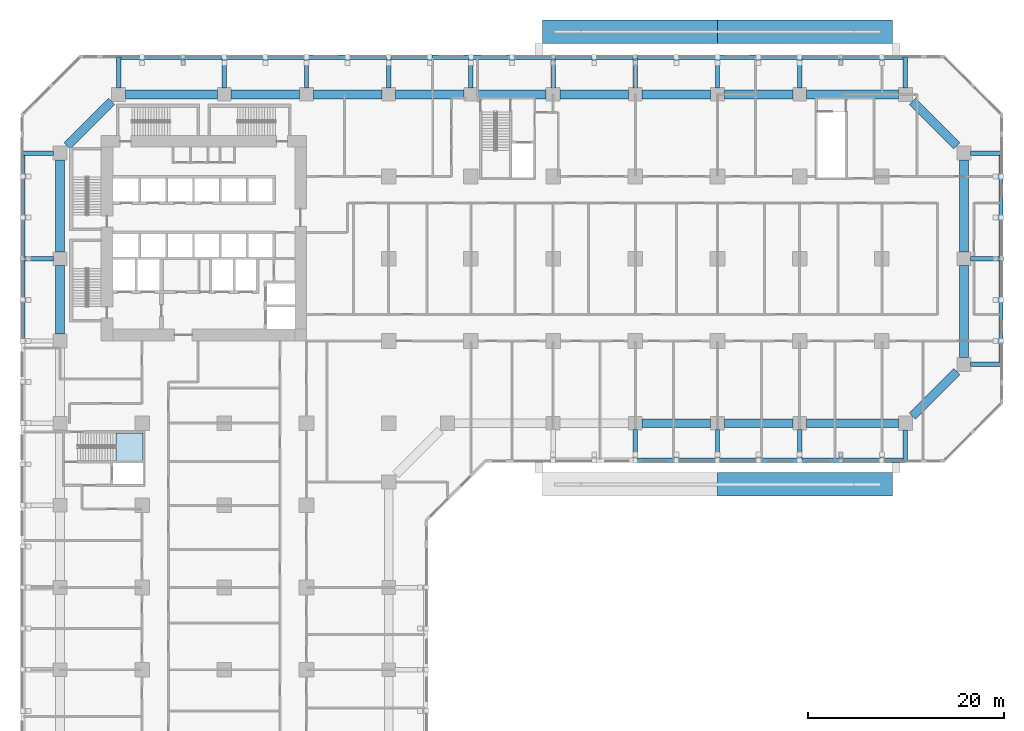
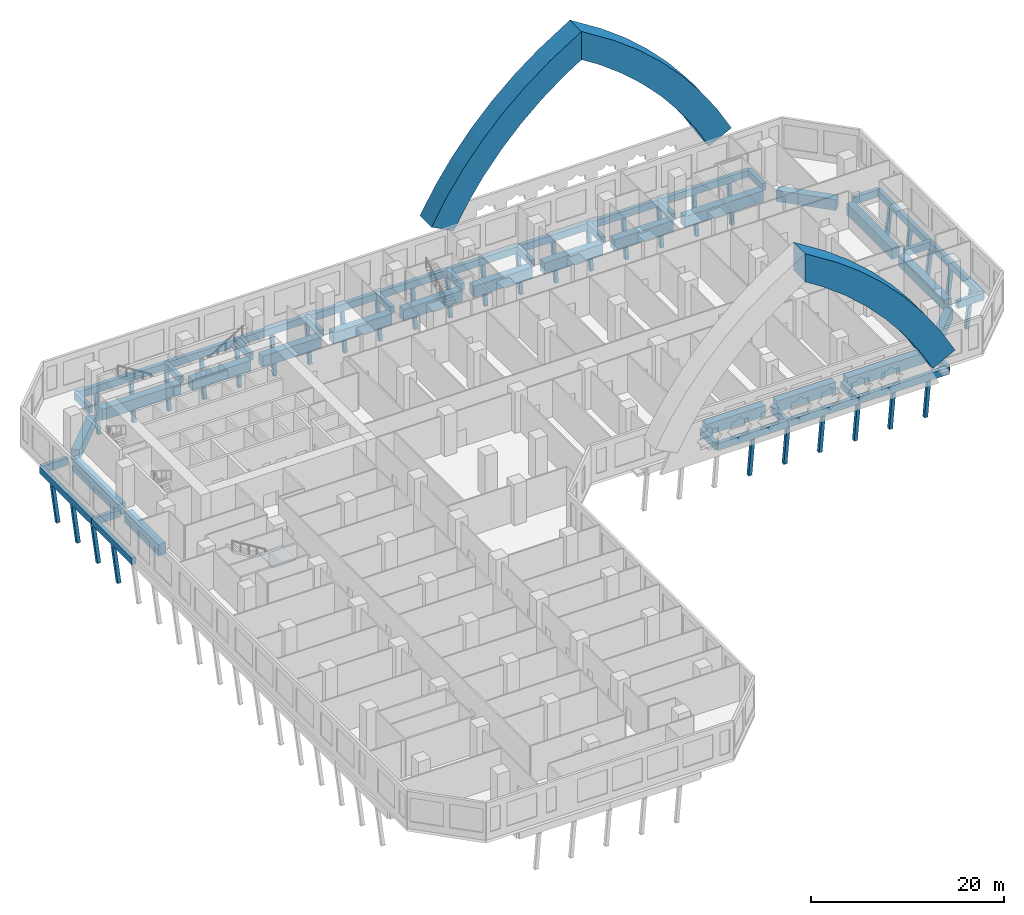
# One storey, part 2 of 25: 54 beams, 37 members, 1 slab, 1 element without a shape of its own.
"""IFC4 building model written with IfcOpenShell, lengths in metres."""

from ifc_helpers import new_model, si_unit, direction, frame, origin, origin_2d, place, context, subcontext, project, spatial, polyline, rectangle, hollow_rectangle, outline, extrude, material, layer, layer_set, material_profile, profile_set, type_object, element, aggregate, save


model = new_model("IFC4")

# Units and contexts
model_context = context("Model", 3, precision=1e-05, world=origin(), true_north=direction((0.0, 1.0)))
body_context = subcontext(model_context, "Body", "Model", "MODEL_VIEW")
ifc_project = project(units=[si_unit("LENGTHUNIT", "METRE"), si_unit("AREAUNIT", "SQUARE_METRE"), si_unit("VOLUMEUNIT", "CUBIC_METRE"), si_unit("PLANEANGLEUNIT", "RADIAN"), si_unit("MASSUNIT", "GRAM", prefix="KILO")], contexts=[model_context])

# Site, building, storey
site_placement = place(None, origin())
site = spatial("IfcSite", under=ifc_project, at=site_placement, CompositionType="ELEMENT")
building_placement = place(site_placement, origin())
building = spatial("IfcBuilding", under=site, at=building_placement, Name="Kawkab Arch Medical Tower", CompositionType="ELEMENT")
storey_placement = place(building_placement, frame((0.0, 0.0, 29.0)))
storey = spatial("IfcBuildingStorey", under=building, at=storey_placement, Name="L06", CompositionType="ELEMENT", Elevation=29.0)

# Members
ifc_material_1 = material(Name="Concrete C60/75", Category="concrete")
member_type_1 = type_object("IfcMemberType", Name="Arch rib segment 3000 C60/75", PredefinedType="STRUT", material=ifc_material_1)
member_1_placement = place(storey_placement, frame((0.0, -38.64990234375, -29.0), z_axis=(0.0, -1.0, 0.0), x_axis=(1.0, 0.0, 0.0)))
element("IfcMember", 1, at=member_1_placement, inside=storey, type_object=member_type_1, Name="Portal arch rib SE", PredefinedType="STRUT", context=body_context, shape_type="SweptSolid", body=[
    extrude(outline(polyline([(67.199951171875, 48.22119140625), (69.27197265625, 46.900390625), (71.94482421875, 44.878173828125), (74.447998046875, 42.647216796875), (76.763916015625, 40.223388671875), (78.877685546875, 37.62109375), (80.775634765625, 34.8583984375), (82.446533203125, 31.95166015625), (85.107421875, 33.34228515625), (83.31640625, 36.457763671875), (81.2822265625, 39.4189453125), (79.01611328125, 42.20849609375), (76.533935546875, 44.806640625), (73.85107421875, 47.197998046875), (70.986083984375, 49.365478515625), (67.199951171875, 51.77880859375), (67.199951171875, 48.22119140625)])), origin(), (0.0, 0.0, 1.0), 2.400146484375),
])
placement = place(storey_placement, frame((0.0, 7.60009765625, -29.0), z_axis=(0.0, -1.0, 0.0), x_axis=(1.0, 0.0, 0.0)))
element("IfcMember", 2, at=placement, inside=storey, type_object=member_type_1, Name="Portal arch rib NW", PredefinedType="STRUT", context=body_context, shape_type="SweptSolid", body=[
    extrude(outline(polyline([(51.953369140625, 31.95166015625), (53.62451171875, 34.8583984375), (55.522216796875, 37.62109375), (57.63623046875, 40.223388671875), (59.951904296875, 42.647216796875), (62.455078125, 44.878173828125), (65.1279296875, 46.900390625), (67.199951171875, 48.22119140625), (67.199951171875, 51.77880859375), (63.4140625, 49.365478515625), (60.548828125, 47.197998046875), (57.865966796875, 44.806640625), (55.3837890625, 42.20849609375), (53.11767578125, 39.4189453125), (51.08349609375, 36.457763671875), (49.29248046875, 33.34228515625), (51.953369140625, 31.95166015625)])), origin(), (0.0, 0.0, 1.0), 2.400146484375),
])
element("IfcMember", 3, at=placement, inside=storey, type_object=member_type_1, Name="Portal arch rib NE", PredefinedType="STRUT", context=body_context, shape_type="SweptSolid", body=[
    extrude(outline(polyline([(67.199951171875, 48.22119140625), (69.27197265625, 46.900390625), (71.94482421875, 44.878173828125), (74.447998046875, 42.647216796875), (76.763916015625, 40.223388671875), (78.877685546875, 37.62109375), (80.775634765625, 34.8583984375), (82.446533203125, 31.95166015625), (85.107421875, 33.34228515625), (83.31640625, 36.457763671875), (81.2822265625, 39.4189453125), (79.01611328125, 42.20849609375), (76.533935546875, 44.806640625), (73.85107421875, 47.197998046875), (70.986083984375, 49.365478515625), (67.199951171875, 51.77880859375), (67.199951171875, 48.22119140625)])), origin(), (0.0, 0.0, 1.0), 2.400146484375),
])

# Beams
ifc_material_2 = material(Name="Concrete C60/75", Category="concrete")
ifc_material_profile_1 = material_profile(ifc_material_2, rectangle(XDim=0.449951171875, YDim=0.89990234375, at=origin_2d()), Name="RC 450x900")
ifc_profile_set_1 = profile_set([ifc_material_profile_1], Name="Concrete C60/75")
beam_type_1 = type_object("IfcBeamType", Name="Podium edge beam RC 450x900 C60/75", PredefinedType="BEAM", material=ifc_profile_set_1)
beam_1_placement = place(storey_placement, frame((-3.77490234375, -6.0, -0.800048828125), z_axis=(0.0, -1.0, 0.0), x_axis=(1.0, 0.0, 0.0)))
element("IfcBeam", 4, at=beam_1_placement, inside=storey, type_object=beam_type_1, Name="Podium edge beam L06 R01.1", PredefinedType="BEAM", context=body_context, shape_type="SweptSolid", body=[
    extrude(rectangle(XDim=0.449951171875, YDim=0.89990234375, at=origin_2d()), origin(), (0.0, 0.0, 1.0), 10.800048828125),
])
beam_2_placement = place(storey_placement, frame((-3.77490234375, -16.800048828125, -0.800048828125), z_axis=(0.0, -1.0, 0.0), x_axis=(1.0, 0.0, 0.0)))
element("IfcBeam", 5, at=beam_2_placement, inside=storey, type_object=beam_type_1, Name="Podium edge beam L06 R01.2", PredefinedType="BEAM", context=body_context, shape_type="SweptSolid", body=[
    extrude(rectangle(XDim=0.449951171875, YDim=0.89990234375, at=origin_2d()), origin(), (0.0, 0.0, 1.0), 8.39990234375),
])
beam_3_placement = place(storey_placement, frame((-0.675048828125, -6.0, -0.800048828125), z_axis=(-1.0, 0.0, 0.0), x_axis=(0.0, -1.0, 0.0)))
element("IfcBeam", 6, at=beam_3_placement, inside=storey, type_object=beam_type_1, Name="Podium cantilever beam L06 R01.1", PredefinedType="BEAM", context=body_context, shape_type="SweptSolid", body=[
    extrude(rectangle(XDim=0.449951171875, YDim=0.89990234375, at=origin_2d()), origin(), (0.0, 0.0, 1.0), 3.099853515625),
])
beam_4_placement = place(storey_placement, frame((-0.64990234375, -16.800048828125, -0.800048828125), z_axis=(-1.0, 0.0, 0.0), x_axis=(0.0, -1.0, 0.0)))
element("IfcBeam", 7, at=beam_4_placement, inside=storey, type_object=beam_type_1, Name="Podium cantilever beam L06 R01.2", PredefinedType="BEAM", context=body_context, shape_type="SweptSolid", body=[
    extrude(rectangle(XDim=0.449951171875, YDim=0.89990234375, at=origin_2d()), origin(), (0.0, 0.0, 1.0), 3.125),
])
beam_5_placement = place(storey_placement, frame((58.800048828125, -37.375, -0.800048828125), z_axis=(1.0, 0.0, 0.0), x_axis=(0.0, 1.0, 0.0)))
element("IfcBeam", 8, at=beam_5_placement, inside=storey, type_object=beam_type_1, Name="Podium edge beam L06 R07.2", PredefinedType="BEAM", context=body_context, shape_type="SweptSolid", body=[
    extrude(rectangle(XDim=0.449951171875, YDim=0.89990234375, at=origin_2d()), origin(), (0.0, 0.0, 1.0), 8.39990234375),
])
beam_6_placement = place(storey_placement, frame((67.199951171875, -37.375, -0.800048828125), z_axis=(1.0, 0.0, 0.0), x_axis=(0.0, 1.0, 0.0)))
element("IfcBeam", 9, at=beam_6_placement, inside=storey, type_object=beam_type_1, Name="Podium edge beam L06 R07.3", PredefinedType="BEAM", context=body_context, shape_type="SweptSolid", body=[
    extrude(rectangle(XDim=0.449951171875, YDim=0.89990234375, at=origin_2d()), origin(), (0.0, 0.0, 1.0), 8.400146484375),
])
beam_7_placement = place(storey_placement, frame((75.60009765625, -37.375, -0.800048828125), z_axis=(1.0, 0.0, 0.0), x_axis=(0.0, 1.0, 0.0)))
element("IfcBeam", 10, at=beam_7_placement, inside=storey, type_object=beam_type_1, Name="Podium edge beam L06 R07.4", PredefinedType="BEAM", context=body_context, shape_type="SweptSolid", body=[
    extrude(rectangle(XDim=0.449951171875, YDim=0.89990234375, at=origin_2d()), origin(), (0.0, 0.0, 1.0), 10.7998046875),
])
for number, where, z_axis, x_axis, name in (
    (11, (58.800048828125, -34.25, -0.800048828125), (0.0, -1.0, 0.0), (1.0, 0.0, 0.0), "Podium cantilever beam L06 R07.2"),
    (12, (67.199951171875, -34.25, -0.800048828125), (0.0, -1.0, 0.0), (1.0, 0.0, 0.0), "Podium cantilever beam L06 R07.3"),
    (13, (75.60009765625, -34.25, -0.800048828125), (0.0, -1.0, 0.0), (1.0, 0.0, 0.0), "Podium cantilever beam L06 R07.4"),
):
    element("IfcBeam", number, at=place(storey_placement, frame(where, z_axis=z_axis, x_axis=x_axis)), inside=storey, type_object=beam_type_1, Name=name, PredefinedType="BEAM", context=body_context, shape_type="SweptSolid", body=[
        extrude(rectangle(XDim=0.449951171875, YDim=0.89990234375, at=origin_2d()), origin(), (0.0, 0.0, 1.0), 3.125),
    ])
beam_8_placement = place(storey_placement, frame((86.39990234375, -34.27490234375, -0.800048828125), z_axis=(0.0, -1.0, 0.0), x_axis=(1.0, 0.0, 0.0)))
element("IfcBeam", 14, at=beam_8_placement, inside=storey, type_object=beam_type_1, Name="Podium cantilever beam L06 R07.5", PredefinedType="BEAM", context=body_context, shape_type="SweptSolid", body=[
    extrude(rectangle(XDim=0.449951171875, YDim=0.89990234375, at=origin_2d()), origin(), (0.0, 0.0, 1.0), 3.10009765625),
])
for number, where, z_axis, x_axis, name in (
    (15, (96.175048828125, -27.60009765625, -0.800048828125), (0.0, 1.0, 0.0), (-1.0, 0.0, 0.0), "Podium edge beam L06 R09.1"),
    (16, (96.175048828125, -16.800048828125, -0.800048828125), (0.0, 1.0, 0.0), (-1.0, 0.0, 0.0), "Podium edge beam L06 R09.2"),
):
    element("IfcBeam", number, at=place(storey_placement, frame(where, z_axis=z_axis, x_axis=x_axis)), inside=storey, type_object=beam_type_1, Name=name, PredefinedType="BEAM", context=body_context, shape_type="SweptSolid", body=[
        extrude(rectangle(XDim=0.449951171875, YDim=0.89990234375, at=origin_2d()), origin(), (0.0, 0.0, 1.0), 10.800048828125),
    ])
beam_9_placement = place(storey_placement, frame((93.074951171875, -27.60009765625, -0.800048828125), z_axis=(1.0, 0.0, 0.0), x_axis=(0.0, 1.0, 0.0)))
element("IfcBeam", 17, at=beam_9_placement, inside=storey, type_object=beam_type_1, Name="Podium cantilever beam L06 R09.1", PredefinedType="BEAM", context=body_context, shape_type="SweptSolid", body=[
    extrude(rectangle(XDim=0.449951171875, YDim=0.89990234375, at=origin_2d()), origin(), (0.0, 0.0, 1.0), 3.10009765625),
])
beam_10_placement = place(storey_placement, frame((93.050048828125, -16.800048828125, -0.800048828125), z_axis=(1.0, 0.0, 0.0), x_axis=(0.0, 1.0, 0.0)))
element("IfcBeam", 18, at=beam_10_placement, inside=storey, type_object=beam_type_1, Name="Podium cantilever beam L06 R09.2", PredefinedType="BEAM", context=body_context, shape_type="SweptSolid", body=[
    extrude(rectangle(XDim=0.449951171875, YDim=0.89990234375, at=origin_2d()), origin(), (0.0, 0.0, 1.0), 3.125),
])
beam_11_placement = place(storey_placement, frame((93.074951171875, -6.0, -0.800048828125), z_axis=(1.0, 0.0, 0.0), x_axis=(0.0, 1.0, 0.0)))
element("IfcBeam", 19, at=beam_11_placement, inside=storey, type_object=beam_type_1, Name="Podium cantilever beam L06 R09.3", PredefinedType="BEAM", context=body_context, shape_type="SweptSolid", body=[
    extrude(rectangle(XDim=0.449951171875, YDim=0.89990234375, at=origin_2d()), origin(), (0.0, 0.0, 1.0), 3.10009765625),
])
beam_12_placement = place(storey_placement, frame((86.39990234375, 3.77490234375, -0.800048828125), z_axis=(-1.0, 0.0, 0.0), x_axis=(0.0, -1.0, 0.0)))
element("IfcBeam", 20, at=beam_12_placement, inside=storey, type_object=beam_type_1, Name="Podium edge beam L06 R11.1", PredefinedType="BEAM", context=body_context, shape_type="SweptSolid", body=[
    extrude(rectangle(XDim=0.449951171875, YDim=0.89990234375, at=origin_2d()), origin(), (0.0, 0.0, 1.0), 10.7998046875),
])
beam_13_placement = place(storey_placement, frame((75.60009765625, 3.77490234375, -0.800048828125), z_axis=(-1.0, 0.0, 0.0), x_axis=(0.0, -1.0, 0.0)))
element("IfcBeam", 21, at=beam_13_placement, inside=storey, type_object=beam_type_1, Name="Podium edge beam L06 R11.2", PredefinedType="BEAM", context=body_context, shape_type="SweptSolid", body=[
    extrude(rectangle(XDim=0.449951171875, YDim=0.89990234375, at=origin_2d()), origin(), (0.0, 0.0, 1.0), 8.400146484375),
])
beam_14_placement = place(storey_placement, frame((67.199951171875, 3.77490234375, -0.800048828125), z_axis=(-1.0, 0.0, 0.0), x_axis=(0.0, -1.0, 0.0)))
element("IfcBeam", 22, at=beam_14_placement, inside=storey, type_object=beam_type_1, Name="Podium edge beam L06 R11.3", PredefinedType="BEAM", context=body_context, shape_type="SweptSolid", body=[
    extrude(rectangle(XDim=0.449951171875, YDim=0.89990234375, at=origin_2d()), origin(), (0.0, 0.0, 1.0), 8.39990234375),
])
beam_15_placement = place(storey_placement, frame((58.800048828125, 3.77490234375, -0.800048828125), z_axis=(-1.0, 0.0, 0.0), x_axis=(0.0, -1.0, 0.0)))
element("IfcBeam", 23, at=beam_15_placement, inside=storey, type_object=beam_type_1, Name="Podium edge beam L06 R11.4", PredefinedType="BEAM", context=body_context, shape_type="SweptSolid", body=[
    extrude(rectangle(XDim=0.449951171875, YDim=0.89990234375, at=origin_2d()), origin(), (0.0, 0.0, 1.0), 8.400146484375),
])
for number, where, z_axis, x_axis, name in (
    (24, (50.39990234375, 3.77490234375, -0.800048828125), (-1.0, 0.0, 0.0), (0.0, -1.0, 0.0), "Podium edge beam L06 R11.5"),
    (25, (42.0, 3.77490234375, -0.800048828125), (-1.0, 0.0, 0.0), (0.0, -1.0, 0.0), "Podium edge beam L06 R11.6"),
):
    element("IfcBeam", number, at=place(storey_placement, frame(where, z_axis=z_axis, x_axis=x_axis)), inside=storey, type_object=beam_type_1, Name=name, PredefinedType="BEAM", context=body_context, shape_type="SweptSolid", body=[
        extrude(rectangle(XDim=0.449951171875, YDim=0.89990234375, at=origin_2d()), origin(), (0.0, 0.0, 1.0), 8.39990234375),
    ])
beam_16_placement = place(storey_placement, frame((33.60009765625, 3.77490234375, -0.800048828125), z_axis=(-1.0, 0.0, 0.0), x_axis=(0.0, -1.0, 0.0)))
element("IfcBeam", 26, at=beam_16_placement, inside=storey, type_object=beam_type_1, Name="Podium edge beam L06 R11.7", PredefinedType="BEAM", context=body_context, shape_type="SweptSolid", body=[
    extrude(rectangle(XDim=0.449951171875, YDim=0.89990234375, at=origin_2d()), origin(), (0.0, 0.0, 1.0), 8.400146484375),
])
beam_17_placement = place(storey_placement, frame((25.199951171875, 3.77490234375, -0.800048828125), z_axis=(-1.0, 0.0, 0.0), x_axis=(0.0, -1.0, 0.0)))
element("IfcBeam", 27, at=beam_17_placement, inside=storey, type_object=beam_type_1, Name="Podium edge beam L06 R11.8", PredefinedType="BEAM", context=body_context, shape_type="SweptSolid", body=[
    extrude(rectangle(XDim=0.449951171875, YDim=0.89990234375, at=origin_2d()), origin(), (0.0, 0.0, 1.0), 8.39990234375),
])
beam_18_placement = place(storey_placement, frame((16.800048828125, 3.77490234375, -0.800048828125), z_axis=(-1.0, 0.0, 0.0), x_axis=(0.0, -1.0, 0.0)))
element("IfcBeam", 28, at=beam_18_placement, inside=storey, type_object=beam_type_1, Name="Podium edge beam L06 R11.9", PredefinedType="BEAM", context=body_context, shape_type="SweptSolid", body=[
    extrude(rectangle(XDim=0.449951171875, YDim=0.89990234375, at=origin_2d()), origin(), (0.0, 0.0, 1.0), 10.800048828125),
])
beam_19_placement = place(storey_placement, frame((86.39990234375, 0.675048828125, -0.800048828125), z_axis=(0.0, 1.0, 0.0), x_axis=(-1.0, 0.0, 0.0)))
element("IfcBeam", 29, at=beam_19_placement, inside=storey, type_object=beam_type_1, Name="Podium cantilever beam L06 R11.1", PredefinedType="BEAM", context=body_context, shape_type="SweptSolid", body=[
    extrude(rectangle(XDim=0.449951171875, YDim=0.89990234375, at=origin_2d()), origin(), (0.0, 0.0, 1.0), 3.099853515625),
])
for number, where, z_axis, x_axis, name in (
    (30, (75.60009765625, 0.64990234375, -0.800048828125), (0.0, 1.0, 0.0), (-1.0, 0.0, 0.0), "Podium cantilever beam L06 R11.2"),
    (31, (67.199951171875, 0.64990234375, -0.800048828125), (0.0, 1.0, 0.0), (-1.0, 0.0, 0.0), "Podium cantilever beam L06 R11.3"),
    (32, (58.800048828125, 0.64990234375, -0.800048828125), (0.0, 1.0, 0.0), (-1.0, 0.0, 0.0), "Podium cantilever beam L06 R11.4"),
    (33, (50.39990234375, 0.64990234375, -0.800048828125), (0.0, 1.0, 0.0), (-1.0, 0.0, 0.0), "Podium cantilever beam L06 R11.5"),
    (34, (42.0, 0.64990234375, -0.800048828125), (0.0, 1.0, 0.0), (-1.0, 0.0, 0.0), "Podium cantilever beam L06 R11.6"),
    (35, (33.60009765625, 0.64990234375, -0.800048828125), (0.0, 1.0, 0.0), (-1.0, 0.0, 0.0), "Podium cantilever beam L06 R11.7"),
    (36, (25.199951171875, 0.64990234375, -0.800048828125), (0.0, 1.0, 0.0), (-1.0, 0.0, 0.0), "Podium cantilever beam L06 R11.8"),
    (37, (16.800048828125, 0.64990234375, -0.800048828125), (0.0, 1.0, 0.0), (-1.0, 0.0, 0.0), "Podium cantilever beam L06 R11.9"),
):
    element("IfcBeam", number, at=place(storey_placement, frame(where, z_axis=z_axis, x_axis=x_axis)), inside=storey, type_object=beam_type_1, Name=name, PredefinedType="BEAM", context=body_context, shape_type="SweptSolid", body=[
        extrude(rectangle(XDim=0.449951171875, YDim=0.89990234375, at=origin_2d()), origin(), (0.0, 0.0, 1.0), 3.125),
    ])
beam_20_placement = place(storey_placement, frame((6.0, 0.675048828125, -0.800048828125), z_axis=(0.0, 1.0, 0.0), x_axis=(-1.0, 0.0, 0.0)))
element("IfcBeam", 38, at=beam_20_placement, inside=storey, type_object=beam_type_1, Name="Podium cantilever beam L06 R11.10", PredefinedType="BEAM", context=body_context, shape_type="SweptSolid", body=[
    extrude(rectangle(XDim=0.449951171875, YDim=0.89990234375, at=origin_2d()), origin(), (0.0, 0.0, 1.0), 3.099853515625),
])

# Members
ifc_material_3 = material(Name="Steel S355", Category="steel")
ifc_material_profile_2 = material_profile(ifc_material_3, hollow_rectangle(XDim=0.39990234375, YDim=0.39990234375, WallThickness=0.01611328125, at=origin_2d()), Name="SHS 400x400x16")
ifc_profile_set_2 = profile_set([ifc_material_profile_2], Name="Steel S355")
member_type_2 = type_object("IfcMemberType", Name="Podium raking strut SHS 400x400x16", PredefinedType="STRUT", material=ifc_profile_set_2)
for number, where, z_axis, x_axis, name in (
    (39, (-3.202392578125, -8.39990234375, -6.18017578125), (-0.126456354082, 0.0, 0.991972172247), (0.0, -1.0, 0.0), "Raking strut L06 1"),
    (40, (-3.202392578125, -12.60009765625, -6.18017578125), (-0.126456354082, 0.0, 0.991972172247), (0.0, -1.0, 0.0), "Raking strut L06 2"),
    (41, (-3.202392578125, -16.800048828125, -6.18017578125), (-0.126456354082, 0.0, 0.991972172247), (0.0, -1.0, 0.0), "Raking strut L06 3"),
    (42, (-3.202392578125, -21.0, -6.18017578125), (-0.126456354082, 0.0, 0.991972172247), (0.0, -1.0, 0.0), "Raking strut L06 4"),
    (43, (63.0, -36.802490234375, -6.18017578125), (0.0, -0.126456354082, 0.991972172247), (1.0, 0.0, 0.0), "Raking strut L06 33"),
    (44, (67.199951171875, -36.802490234375, -6.18017578125), (0.0, -0.126456354082, 0.991972172247), (1.0, 0.0, 0.0), "Raking strut L06 34"),
    (45, (71.39990234375, -36.802490234375, -6.18017578125), (0.0, -0.126456354082, 0.991972172247), (1.0, 0.0, 0.0), "Raking strut L06 35"),
    (46, (75.60009765625, -36.802490234375, -6.18017578125), (0.0, -0.126456354082, 0.991972172247), (1.0, 0.0, 0.0), "Raking strut L06 36"),
    (47, (79.800048828125, -36.802490234375, -6.18017578125), (0.0, -0.126456354082, 0.991972172247), (1.0, 0.0, 0.0), "Raking strut L06 37"),
    (48, (84.0, -36.802490234375, -6.18017578125), (0.0, -0.126456354082, 0.991972172247), (1.0, 0.0, 0.0), "Raking strut L06 38"),
    (49, (95.6025390625, -8.39990234375, -6.18017578125), (0.126456354082, 0.0, 0.991972172247), (0.0, 1.0, 0.0), "Raking strut L06 39"),
    (50, (95.6025390625, -12.60009765625, -6.18017578125), (0.126456354082, 0.0, 0.991972172247), (0.0, 1.0, 0.0), "Raking strut L06 40"),
    (51, (95.6025390625, -16.800048828125, -6.18017578125), (0.126456354082, 0.0, 0.991972172247), (0.0, 1.0, 0.0), "Raking strut L06 41"),
    (52, (95.6025390625, -21.0, -6.18017578125), (0.126456354082, 0.0, 0.991972172247), (0.0, 1.0, 0.0), "Raking strut L06 42"),
    (53, (95.6025390625, -25.199951171875, -6.18017578125), (0.126456354082, 0.0, 0.991972172247), (0.0, 1.0, 0.0), "Raking strut L06 43"),
    (54, (8.39990234375, 3.202392578125, -6.18017578125), (0.0, 0.126456354082, 0.991972172247), (-1.0, 0.0, 0.0), "Raking strut L06 44"),
    (55, (12.60009765625, 3.202392578125, -6.18017578125), (0.0, 0.126456354082, 0.991972172247), (-1.0, 0.0, 0.0), "Raking strut L06 45"),
    (56, (16.800048828125, 3.202392578125, -6.18017578125), (0.0, 0.126456354082, 0.991972172247), (-1.0, 0.0, 0.0), "Raking strut L06 46"),
    (57, (21.0, 3.202392578125, -6.18017578125), (0.0, 0.126456354082, 0.991972172247), (-1.0, 0.0, 0.0), "Raking strut L06 47"),
    (58, (25.199951171875, 3.202392578125, -6.18017578125), (0.0, 0.126456354082, 0.991972172247), (-1.0, 0.0, 0.0), "Raking strut L06 48"),
    (59, (29.39990234375, 3.202392578125, -6.18017578125), (0.0, 0.126456354082, 0.991972172247), (-1.0, 0.0, 0.0), "Raking strut L06 49"),
    (60, (33.60009765625, 3.202392578125, -6.18017578125), (0.0, 0.126456354082, 0.991972172247), (-1.0, 0.0, 0.0), "Raking strut L06 50"),
    (61, (37.800048828125, 3.202392578125, -6.18017578125), (0.0, 0.126456354082, 0.991972172247), (-1.0, 0.0, 0.0), "Raking strut L06 51"),
    (62, (42.0, 3.202392578125, -6.18017578125), (0.0, 0.126456354082, 0.991972172247), (-1.0, 0.0, 0.0), "Raking strut L06 52"),
    (63, (46.199951171875, 3.202392578125, -6.18017578125), (0.0, 0.126456354082, 0.991972172247), (-1.0, 0.0, 0.0), "Raking strut L06 53"),
    (64, (50.39990234375, 3.202392578125, -6.18017578125), (0.0, 0.126456354082, 0.991972172247), (-1.0, 0.0, 0.0), "Raking strut L06 54"),
    (65, (54.60009765625, 3.202392578125, -6.18017578125), (0.0, 0.126456354082, 0.991972172247), (-1.0, 0.0, 0.0), "Raking strut L06 55"),
    (66, (58.800048828125, 3.202392578125, -6.18017578125), (0.0, 0.126456354082, 0.991972172247), (-1.0, 0.0, 0.0), "Raking strut L06 56"),
    (67, (63.0, 3.202392578125, -6.18017578125), (0.0, 0.126456354082, 0.991972172247), (-1.0, 0.0, 0.0), "Raking strut L06 57"),
    (68, (67.199951171875, 3.202392578125, -6.18017578125), (0.0, 0.126456354082, 0.991972172247), (-1.0, 0.0, 0.0), "Raking strut L06 58"),
    (69, (71.39990234375, 3.202392578125, -6.18017578125), (0.0, 0.126456354082, 0.991972172247), (-1.0, 0.0, 0.0), "Raking strut L06 59"),
    (70, (75.60009765625, 3.202392578125, -6.18017578125), (0.0, 0.126456354082, 0.991972172247), (-1.0, 0.0, 0.0), "Raking strut L06 60"),
    (71, (79.800048828125, 3.202392578125, -6.18017578125), (0.0, 0.126456354082, 0.991972172247), (-1.0, 0.0, 0.0), "Raking strut L06 61"),
    (72, (84.0, 3.202392578125, -6.18017578125), (0.0, 0.126456354082, 0.991972172247), (-1.0, 0.0, 0.0), "Raking strut L06 62"),
):
    element("IfcMember", number, at=place(storey_placement, frame(where, z_axis=z_axis, x_axis=x_axis)), inside=storey, type_object=member_type_2, Name=name, PredefinedType="STRUT", context=body_context, shape_type="SweptSolid", body=[
        extrude(hollow_rectangle(XDim=0.39990234375, YDim=0.39990234375, WallThickness=0.01611328125, at=origin_2d()), origin(), (0.0, 0.0, 1.0), 4.9501953125),
    ])

# Beams
ifc_material_4 = material(Name="Concrete C60/75", Category="concrete")
ifc_material_profile_3 = material_profile(ifc_material_4, rectangle(XDim=0.89990234375, YDim=1.39990234375, at=origin_2d()), Name="RC 900x1400")
ifc_profile_set_3 = profile_set([ifc_material_profile_3], Name="Concrete C60/75")
beam_type_2 = type_object("IfcBeamType", Name="RC 900x1400 beam C60/75", PredefinedType="BEAM", material=ifc_profile_set_3)
beam_21_placement = place(storey_placement, frame((0.0, -6.72509765625, -1.050048828125), z_axis=(0.0, -1.0, 0.0), x_axis=(1.0, 0.0, 0.0)))
element("IfcBeam", 73, at=beam_21_placement, inside=storey, type_object=beam_type_2, Name="Podium edge beam L06-01", PredefinedType="BEAM", context=body_context, shape_type="SweptSolid", body=[
    extrude(rectangle(XDim=0.89990234375, YDim=1.39990234375, at=origin_2d()), origin(), (0.0, 0.0, 1.0), 9.375),
])
for number, where, z_axis, x_axis, name in (
    (74, (0.0, -17.5, -1.050048828125), (0.0, -1.0, 0.0), (1.0, 0.0, 0.0), "Podium edge beam L06-02"),
    (75, (59.5, -33.60009765625, -1.050048828125), (1.0, 0.0, 0.0), (0.0, 1.0, 0.0), "Podium edge beam L06-20"),
    (76, (67.89990234375, -33.60009765625, -1.050048828125), (1.0, 0.0, 0.0), (0.0, 1.0, 0.0), "Podium edge beam L06-21"),
):
    element("IfcBeam", number, at=place(storey_placement, frame(where, z_axis=z_axis, x_axis=x_axis)), inside=storey, type_object=beam_type_2, Name=name, PredefinedType="BEAM", context=body_context, shape_type="SweptSolid", body=[
        extrude(rectangle(XDim=0.89990234375, YDim=1.39990234375, at=origin_2d()), origin(), (0.0, 0.0, 1.0), 7.0),
    ])
beam_22_placement = place(storey_placement, frame((76.300048828125, -33.60009765625, -1.050048828125), z_axis=(1.0, 0.0, 0.0), x_axis=(0.0, 1.0, 0.0)))
element("IfcBeam", 77, at=beam_22_placement, inside=storey, type_object=beam_type_2, Name="Podium edge beam L06-22", PredefinedType="BEAM", context=body_context, shape_type="SweptSolid", body=[
    extrude(rectangle(XDim=0.89990234375, YDim=1.39990234375, at=origin_2d()), origin(), (0.0, 0.0, 1.0), 9.375),
])
beam_23_placement = place(storey_placement, frame((87.125, -32.875, -1.050048828125), z_axis=(0.707106781187, 0.707106781187, 0.0), x_axis=(-0.707106781187, 0.707106781187, 0.0)))
element("IfcBeam", 78, at=beam_23_placement, inside=storey, type_object=beam_type_2, Name="Podium edge beam L06-23", PredefinedType="BEAM", context=body_context, shape_type="SweptSolid", body=[
    extrude(rectangle(XDim=0.89990234375, YDim=1.39990234375, at=origin_2d()), origin(), (0.0, 0.0, 1.0), 6.434814453125),
])
for number, where, z_axis, x_axis, name in (
    (79, (92.39990234375, -26.875, -1.050048828125), (0.0, 1.0, 0.0), (-1.0, 0.0, 0.0), "Podium edge beam L06-24"),
    (80, (92.39990234375, -16.10009765625, -1.050048828125), (0.0, 1.0, 0.0), (-1.0, 0.0, 0.0), "Podium edge beam L06-25"),
):
    element("IfcBeam", number, at=place(storey_placement, frame(where, z_axis=z_axis, x_axis=x_axis)), inside=storey, type_object=beam_type_2, Name=name, PredefinedType="BEAM", context=body_context, shape_type="SweptSolid", body=[
        extrude(rectangle(XDim=0.89990234375, YDim=1.39990234375, at=origin_2d()), origin(), (0.0, 0.0, 1.0), 9.375),
    ])
beam_24_placement = place(storey_placement, frame((91.675048828125, -5.27490234375, -1.050048828125), z_axis=(-0.707125751951, 0.707087809913, 0.0), x_axis=(-0.707087809913, -0.707125751951, 0.0)))
element("IfcBeam", 81, at=beam_24_placement, inside=storey, type_object=beam_type_2, Name="Podium edge beam L06-26", PredefinedType="BEAM", context=body_context, shape_type="SweptSolid", body=[
    extrude(rectangle(XDim=0.89990234375, YDim=1.39990234375, at=origin_2d()), origin(), (0.0, 0.0, 1.0), 6.4345703125),
])
beam_25_placement = place(storey_placement, frame((85.675048828125, 0.0, -1.050048828125), z_axis=(-1.0, 0.0, 0.0), x_axis=(0.0, -1.0, 0.0)))
element("IfcBeam", 82, at=beam_25_placement, inside=storey, type_object=beam_type_2, Name="Podium edge beam L06-27", PredefinedType="BEAM", context=body_context, shape_type="SweptSolid", body=[
    extrude(rectangle(XDim=0.89990234375, YDim=1.39990234375, at=origin_2d()), origin(), (0.0, 0.0, 1.0), 9.375),
])
for number, where, z_axis, x_axis, name in (
    (83, (74.89990234375, 0.0, -1.050048828125), (-1.0, 0.0, 0.0), (0.0, -1.0, 0.0), "Podium edge beam L06-28"),
    (84, (66.5, 0.0, -1.050048828125), (-1.0, 0.0, 0.0), (0.0, -1.0, 0.0), "Podium edge beam L06-29"),
    (85, (58.10009765625, 0.0, -1.050048828125), (-1.0, 0.0, 0.0), (0.0, -1.0, 0.0), "Podium edge beam L06-30"),
    (86, (49.699951171875, 0.0, -1.050048828125), (-1.0, 0.0, 0.0), (0.0, -1.0, 0.0), "Podium edge beam L06-31"),
    (87, (41.300048828125, 0.0, -1.050048828125), (-1.0, 0.0, 0.0), (0.0, -1.0, 0.0), "Podium edge beam L06-32"),
    (88, (32.89990234375, 0.0, -1.050048828125), (-1.0, 0.0, 0.0), (0.0, -1.0, 0.0), "Podium edge beam L06-33"),
    (89, (24.5, 0.0, -1.050048828125), (-1.0, 0.0, 0.0), (0.0, -1.0, 0.0), "Podium edge beam L06-34"),
):
    element("IfcBeam", number, at=place(storey_placement, frame(where, z_axis=z_axis, x_axis=x_axis)), inside=storey, type_object=beam_type_2, Name=name, PredefinedType="BEAM", context=body_context, shape_type="SweptSolid", body=[
        extrude(rectangle(XDim=0.89990234375, YDim=1.39990234375, at=origin_2d()), origin(), (0.0, 0.0, 1.0), 7.0),
    ])
beam_26_placement = place(storey_placement, frame((16.10009765625, 0.0, -1.050048828125), z_axis=(-1.0, 0.0, 0.0), x_axis=(0.0, -1.0, 0.0)))
element("IfcBeam", 90, at=beam_26_placement, inside=storey, type_object=beam_type_2, Name="Podium edge beam L06-35", PredefinedType="BEAM", context=body_context, shape_type="SweptSolid", body=[
    extrude(rectangle(XDim=0.89990234375, YDim=1.39990234375, at=origin_2d()), origin(), (0.0, 0.0, 1.0), 9.375),
])
beam_27_placement = place(storey_placement, frame((5.27490234375, -0.72509765625, -1.050048828125), z_axis=(-0.707106781187, -0.707106781187, 0.0), x_axis=(0.707106781187, -0.707106781187, 0.0)))
element("IfcBeam", 91, at=beam_27_placement, inside=storey, type_object=beam_type_2, Name="Podium edge beam L06-36", PredefinedType="BEAM", context=body_context, shape_type="SweptSolid", body=[
    extrude(rectangle(XDim=0.89990234375, YDim=1.39990234375, at=origin_2d()), origin(), (0.0, 0.0, 1.0), 6.434326171875),
])

# Stair, slab
ifc_material_5 = material(Name="Concrete C40/50", Category="concrete")
stair_type = type_object("IfcStairType", Name="Exit stair 1350", PredefinedType="HALF_TURN_STAIR", material=ifc_material_5)
stair_placement = place(storey_placement, origin())
stair = element("IfcStair", 92, at=stair_placement, inside=storey, type_object=stair_type, Name="L06 Exit stair ST6", PredefinedType="HALF_TURN_STAIR")
ifc_material_6 = material(Name="Concrete C40/50", Category="concrete")
ifc_layer = layer(ifc_material_6, 0.199951171875)
ifc_layer_set = layer_set([ifc_layer], Name="Concrete C40/50")
slab_type = type_object("IfcSlabType", Name="Exit stair landing 200", PredefinedType="LANDING", material=ifc_layer_set)
slab_placement = place(storey_placement, frame((0.0, 0.0, 2.39990234375)))
slab = element("IfcSlab", 93, at=slab_placement, type_object=slab_type, Name="ST6 landing 1", PredefinedType="LANDING", context=body_context, shape_type="SweptSolid", body=[
    extrude(outline(polyline([(5.719970703125, -37.449951171875), (8.5, -37.449951171875), (8.5, -34.60009765625), (5.719970703125, -34.60009765625), (5.719970703125, -37.449951171875)])), origin(), (0.0, 0.0, 1.0), 0.2001953125),
])
aggregate(stair, [slab])

save(model, "model.ifc")
